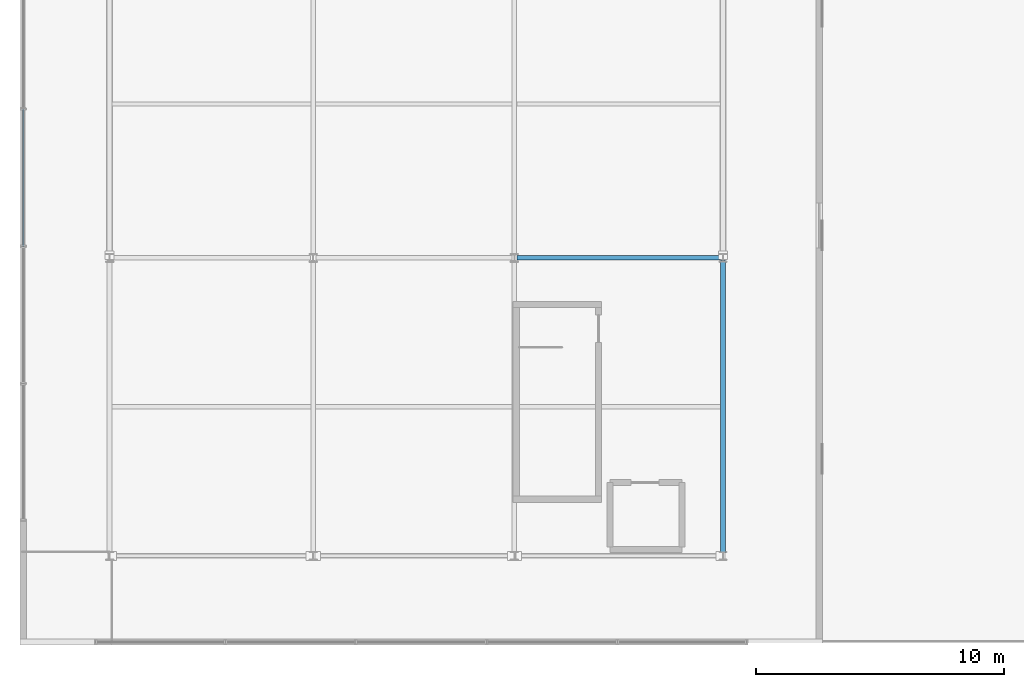
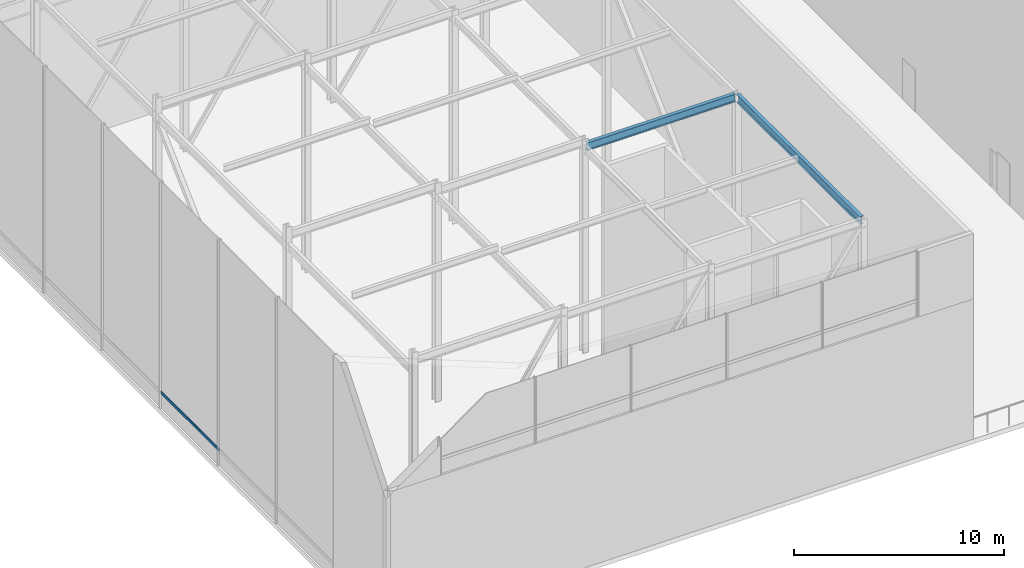
# One storey, part 10 of 39: 2 beams, 1 member, 1 element without a shape of its own.
"""IFC4 building model written with IfcOpenShell, lengths in metres."""

from ifc_helpers import new_model, si_unit, direction, frame, origin, origin_2d, place, context, subcontext, project, spatial, hollow_rectangle, i_section, extrude, material, layer, layer_set, material_profile, profile_set, type_object, element, aggregate, save


model = new_model("IFC4")

# Units and contexts
model_context = context("Model", 3, precision=1e-05, world=origin(), true_north=direction((0.0, 1.0)))
body_context = subcontext(model_context, "Body", "Model", "MODEL_VIEW")
ifc_project = project(units=[si_unit("LENGTHUNIT", "METRE"), si_unit("AREAUNIT", "SQUARE_METRE"), si_unit("VOLUMEUNIT", "CUBIC_METRE"), si_unit("PLANEANGLEUNIT", "RADIAN"), si_unit("MASSUNIT", "GRAM", prefix="KILO")], contexts=[model_context])

# Site, building, storey
site_placement = place(None, origin())
site = spatial("IfcSite", under=ifc_project, at=site_placement, CompositionType="ELEMENT")
building_placement = place(site_placement, origin())
building = spatial("IfcBuilding", under=site, at=building_placement, Name="Korimba Cascade Residences", CompositionType="ELEMENT")
storey_placement = place(building_placement, frame((0.0, 0.0, 264.199951171875)))
storey = spatial("IfcBuildingStorey", under=building, at=storey_placement, Name="RF", CompositionType="ELEMENT", Elevation=264.199951171875)

# Beams
ifc_material_1 = material(Name="Steel S355", Category="steel")
ifc_material_profile_1 = material_profile(ifc_material_1, i_section(OverallWidth=0.19140625, OverallDepth=0.4599609375, WebThickness=0.010009765625, FlangeThickness=0.01611328125, FilletRadius=0.01025390625, at=origin_2d()), Name="Steel S355")
ifc_profile_set_1 = profile_set([ifc_material_profile_1], Name="Steel S355")
beam_type = type_object("IfcBeamType", Name="BM-STL-UB457", PredefinedType="JOIST", material=ifc_profile_set_1)
beam_1_placement = place(storey_placement, frame((76.205078125, 67.199951171875, 11.86865234375), z_axis=(1.0, 0.0, 0.0), x_axis=(0.0, 1.0, 0.0)))
element("IfcBeam", 1, at=beam_1_placement, inside=storey, type_object=beam_type, Name="RF Crown Cap Ring Beam W2.3", PredefinedType="JOIST", context=body_context, shape_type="SweptSolid", body=[
    extrude(i_section(OverallWidth=0.19140625, OverallDepth=0.4599609375, WebThickness=0.010009765625, FlangeThickness=0.01611328125, FilletRadius=0.01025390625, at=origin_2d()), origin(), (0.0, 0.0, 1.0), 8.18994140625),
])
beam_2_placement = place(storey_placement, frame((84.5, 55.304931640625, 11.86865234375), z_axis=(0.0, 1.0, 0.0), x_axis=(-1.0, 0.0, 0.0)))
element("IfcBeam", 2, at=beam_2_placement, inside=storey, type_object=beam_type, Name="RF Crown Cap Tie Beam W4.1", PredefinedType="JOIST", context=body_context, shape_type="SweptSolid", body=[
    extrude(i_section(OverallWidth=0.19140625, OverallDepth=0.4599609375, WebThickness=0.010009765625, FlangeThickness=0.01611328125, FilletRadius=0.01025390625, at=origin_2d()), origin(), (0.0, 0.0, 1.0), 11.7900390625),
])

# Curtain wall, member
ifc_material_2 = material(Name="Anodised Aluminium Curtain Wall Framing", Category="aluminium")
ifc_layer = layer(ifc_material_2, 0.179931640625)
ifc_layer_set = layer_set([ifc_layer], Name="Anodised Aluminium Curtain Wall Framing")
curtain_wall_type = type_object("IfcCurtainWallType", Name="CW-CRNW-SYS5", PredefinedType="NOTDEFINED", material=ifc_layer_set)
curtain_wall_placement = place(storey_placement, origin())
curtain_wall = element("IfcCurtainWall", 3, at=curtain_wall_placement, inside=storey, type_object=curtain_wall_type, Name="RF Curtain Wall CW-RF-CRN-W-1", PredefinedType="NOTDEFINED")
ifc_material_3 = material(Name="Anodised Aluminium Transom", Category="aluminium")
ifc_material_profile_2 = material_profile(ifc_material_3, hollow_rectangle(XDim=0.070068359375, YDim=0.179931640625, WallThickness=0.0048828125, InnerFilletRadius=0.0048828125, OuterFilletRadius=0.010009765625, at=origin_2d()), Name="Anodised Aluminium Transom")
ifc_profile_set_2 = profile_set([ifc_material_profile_2], Name="Anodised Aluminium Transom")
member_type = type_object("IfcMemberType", Name="CWM-TRN-150", PredefinedType="USERDEFINED", material=ifc_profile_set_2)
member_placement = place(storey_placement, frame((56.324951171875, 67.666748046875, 0.900146484375), z_axis=(0.0, 1.0, 0.0), x_axis=(-1.0, 0.0, 0.0)))
member = element("IfcMember", 4, at=member_placement, type_object=member_type, Name="CW-RF-CRN-W-1 Transom 3", ObjectType="TRANSOM", PredefinedType="USERDEFINED", context=body_context, shape_type="SweptSolid", body=[
    extrude(hollow_rectangle(XDim=0.070068359375, YDim=0.179931640625, WallThickness=0.0048828125, InnerFilletRadius=0.0048828125, OuterFilletRadius=0.010009765625, at=origin_2d()), origin(), (0.0, 0.0, 1.0), 5.533203125),
])
aggregate(curtain_wall, [member])

save(model, "model.ifc")
